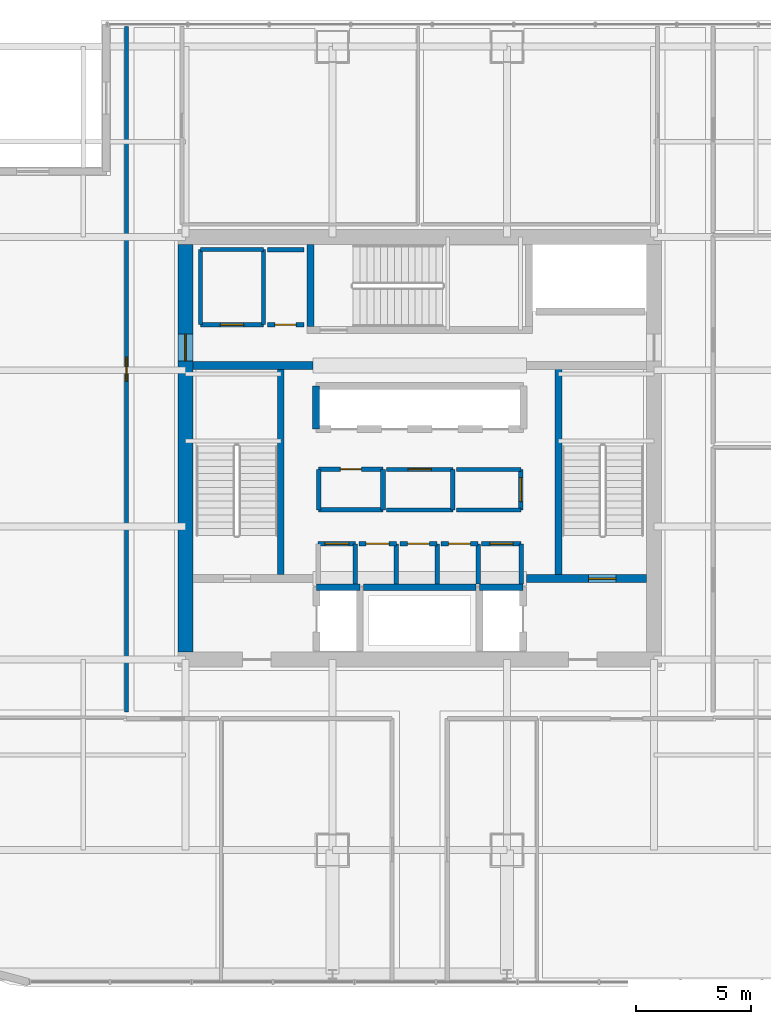
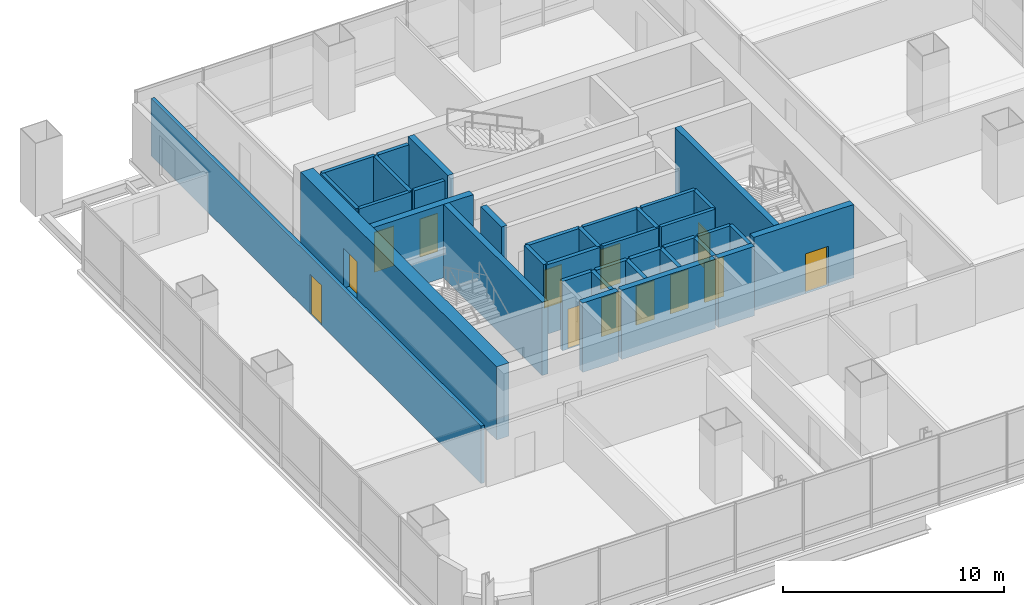
# One storey, part 30 of 36: 37 walls, 13 doors, 13 openings.
"""IFC4 building model written with IfcOpenShell, lengths in metres."""

from ifc_helpers import new_model, si_unit, direction, frame, frame_2d, origin, place, context, subcontext, project, spatial, rectangle, extrude, material, layer, layer_set, type_object, element, fill, save


model = new_model("IFC4")

# Units and contexts
model_context = context("Model", 3, precision=1e-05, world=origin(), true_north=direction((0.0, 1.0)))
body_context = subcontext(model_context, "Body", "Model", "MODEL_VIEW")
ifc_project = project(units=[si_unit("LENGTHUNIT", "METRE"), si_unit("AREAUNIT", "SQUARE_METRE"), si_unit("VOLUMEUNIT", "CUBIC_METRE"), si_unit("PLANEANGLEUNIT", "RADIAN"), si_unit("MASSUNIT", "GRAM", prefix="KILO")], contexts=[model_context])

# Site, building, storey
site_placement = place(None, origin())
site = spatial("IfcSite", under=ifc_project, at=site_placement, CompositionType="ELEMENT")
building_placement = place(site_placement, origin())
building = spatial("IfcBuilding", under=site, at=building_placement, Name="Punatoya Terracotta Tower", CompositionType="ELEMENT")
storey_placement = place(building_placement, frame((0.0, 0.0, 228.89990234375)))
storey = spatial("IfcBuildingStorey", under=building, at=storey_placement, Name="L54", CompositionType="ELEMENT", Elevation=228.89990234375)

# Wall, opening, door
ifc_material_1 = material(Name="Concrete C60/75", Category="concrete")
ifc_layer_1 = layer(ifc_material_1, 0.64990234375)
ifc_layer_set_1 = layer_set([ifc_layer_1], Name="Concrete C60/75")
wall_type_1 = type_object("IfcWallType", Name="WL-COR-650", PredefinedType="SHEAR", material=ifc_layer_set_1)
wall_1_placement = place(storey_placement, frame((-10.199951171875, -8.875, 0.0), z_axis=(0.0, 0.0, 1.0), x_axis=(0.0, 1.0, 0.0)))
wall_1 = element("IfcWall", 1, at=wall_1_placement, inside=storey, type_object=wall_type_1, Name="L54 Core Shear Wall W", PredefinedType="SHEAR", context=body_context, shape_type="SweptSolid", body=[
    extrude(rectangle(XDim=17.75, YDim=0.64990234375, at=frame_2d((8.875, 0.0))), origin(), (0.0, 0.0, 1.0), 4.050048828125),
])
opening_1_placement = place(wall_1_placement, frame((12.6650390625, 0.0, 0.0)))
opening_1 = element("IfcOpeningElement", 2, at=opening_1_placement, cuts=wall_1, Name="Opening SD-01", PredefinedType="OPENING", context=body_context, shape_type="SweptSolid", body=[
    extrude(rectangle(XDim=1.179931640625, YDim=2.199951171875, at=frame_2d((0.58984375, 1.10009765625))), frame((0.0, 0.3349609375, 0.0), z_axis=(0.0, -1.0, 0.0), x_axis=(1.0, 0.0, 0.0)), (0.0, 0.0, 1.0), 0.669921875),
])
ifc_material_2 = material(Name="Galvanised Steel Pressurized Stair Fire Door", Category="steel")
door_type_1 = type_object("IfcDoorType", Name="DR-STR-1180", OperationType="NOTDEFINED", PredefinedType="DOOR", material=ifc_material_2)
door_1_placement = place(opening_1_placement, origin())
door_1 = element("IfcDoor", 3, at=door_1_placement, inside=storey, type_object=door_type_1, Name="L54 Central Lift Lobby West Fire Door", OperationType="SINGLE_SWING_LEFT", OverallHeight=2.199951171875, OverallWidth=1.179931640625, PredefinedType="DOOR", context=body_context, shape_type="SweptSolid", body=[
    extrude(rectangle(XDim=1.179931640625, YDim=2.199951171875, at=frame_2d((0.58984375, 1.10009765625))), frame((0.0, 0.02490234375, 0.0), z_axis=(0.0, -1.0, 0.0), x_axis=(1.0, 0.0, 0.0)), (0.0, 0.0, 1.0), 0.050048828125),
])
fill(opening_1, door_1)

# Wall
ifc_material_3 = material(Name="Gypsum Fireboard + Steel Stud", Category="steel")
ifc_layer_2 = layer(ifc_material_3, 0.179931640625)
ifc_layer_set_2 = layer_set([ifc_layer_2], Name="Gypsum Fireboard + Steel Stud")
wall_type_2 = type_object("IfcWallType", Name="WL-CORR-180", PredefinedType="PARTITIONING", material=ifc_layer_set_2)
wall_2_placement = place(storey_placement, frame((4.419921875, -5.89990234375, 0.0), z_axis=(0.0, 0.0, 1.0), x_axis=(0.0, 1.0, 0.0)))
element("IfcWall", 4, at=wall_2_placement, inside=storey, type_object=wall_type_2, Name="L54 Core Focus Booth Partition 10", PredefinedType="PARTITIONING", context=body_context, shape_type="SweptSolid", body=[
    extrude(rectangle(XDim=1.739990234375, YDim=0.179931640625, at=frame_2d((0.8701171875, 0.0))), origin(), (0.0, 0.0, 1.0), 3.830078125),
])

# Wall, opening, door
wall_3_placement = place(storey_placement, frame((4.419921875, -4.159912109375, 0.0), z_axis=(0.0, 0.0, 1.0), x_axis=(-1.0, 0.0, 0.0)))
wall_3 = element("IfcWall", 5, at=wall_3_placement, inside=storey, type_object=wall_type_2, Name="L54 Core Focus Booth Partition 11", PredefinedType="PARTITIONING", context=body_context, shape_type="SweptSolid", body=[
    extrude(rectangle(XDim=1.719970703125, YDim=0.179931640625, at=frame_2d((0.85986328125, 0.0))), origin(), (0.0, 0.0, 1.0), 3.830078125),
])
opening_2_placement = place(wall_3_placement, frame((0.35009765625, 0.0, 0.0)))
opening_2 = element("IfcOpeningElement", 6, at=opening_2_placement, cuts=wall_3, Name="Opening MD-01", PredefinedType="OPENING", context=body_context, shape_type="SweptSolid", body=[
    extrude(rectangle(XDim=1.02001953125, YDim=2.199951171875, at=frame_2d((0.510009765625, 1.10009765625))), frame((0.0, 0.099853515625, 0.0), z_axis=(0.0, -1.0, 0.0), x_axis=(1.0, 0.0, 0.0)), (0.0, 0.0, 1.0), 0.199951171875),
])
ifc_material_4 = material(Name="Aluminium + Acoustic Glass Leaf", Category="aluminium")
door_type_2 = type_object("IfcDoorType", Name="DR-MTG-1020", OperationType="NOTDEFINED", PredefinedType="DOOR", material=ifc_material_4)
door_2_placement = place(opening_2_placement, origin())
door_2 = element("IfcDoor", 7, at=door_2_placement, inside=storey, type_object=door_type_2, Name="L54 Focus Booth Door", OperationType="SINGLE_SWING_RIGHT", OverallHeight=2.199951171875, OverallWidth=1.02001953125, PredefinedType="DOOR", context=body_context, shape_type="SweptSolid", body=[
    extrude(rectangle(XDim=1.02001953125, YDim=2.199951171875, at=frame_2d((0.510009765625, 1.10009765625))), frame((0.0, 0.02490234375, 0.0), z_axis=(0.0, -1.0, 0.0), x_axis=(1.0, 0.0, 0.0)), (0.0, 0.0, 1.0), 0.050048828125),
])
fill(opening_2, door_2)

# Wall
wall_4_placement = place(storey_placement, frame((1.43994140625, -2.679931640625, 0.0), z_axis=(0.0, 0.0, 1.0), x_axis=(0.0, 1.0, 0.0)))
element("IfcWall", 8, at=wall_4_placement, inside=storey, type_object=wall_type_2, Name="L54 Center Core Briefing Pod Partition 16", PredefinedType="PARTITIONING", context=body_context, shape_type="SweptSolid", body=[
    extrude(rectangle(XDim=1.760009765625, YDim=0.179931640625, at=frame_2d((0.8798828125, 0.0))), origin(), (0.0, 0.0, 1.0), 3.830078125),
])

# Wall, opening, door
wall_5_placement = place(storey_placement, frame((1.43994140625, -0.919921875, 0.0), z_axis=(0.0, 0.0, 1.0), x_axis=(-1.0, 0.0, 0.0)))
wall_5 = element("IfcWall", 9, at=wall_5_placement, inside=storey, type_object=wall_type_2, Name="L54 Center Core Briefing Pod Partition 17", PredefinedType="PARTITIONING", context=body_context, shape_type="SweptSolid", body=[
    extrude(rectangle(XDim=2.8798828125, YDim=0.179931640625, at=frame_2d((1.43994140625, 0.0))), origin(), (0.0, 0.0, 1.0), 3.830078125),
])
opening_3_placement = place(wall_5_placement, frame((0.929931640625, 0.0, 0.0)))
opening_3 = element("IfcOpeningElement", 10, at=opening_3_placement, cuts=wall_5, Name="Opening MD-01", PredefinedType="OPENING", context=body_context, shape_type="SweptSolid", body=[
    extrude(rectangle(XDim=1.02001953125, YDim=2.199951171875, at=frame_2d((0.510009765625, 1.10009765625))), frame((0.0, 0.099853515625, 0.0), z_axis=(0.0, -1.0, 0.0), x_axis=(1.0, 0.0, 0.0)), (0.0, 0.0, 1.0), 0.199951171875),
])
door_3_placement = place(opening_3_placement, origin())
door_3 = element("IfcDoor", 11, at=door_3_placement, inside=storey, type_object=door_type_2, Name="L54 Center Briefing Pod Door", OperationType="SINGLE_SWING_RIGHT", OverallHeight=2.199951171875, OverallWidth=1.02001953125, PredefinedType="DOOR", context=body_context, shape_type="SweptSolid", body=[
    extrude(rectangle(XDim=1.02001953125, YDim=2.199951171875, at=frame_2d((0.510009765625, 1.10009765625))), frame((0.0, 0.02490234375, 0.0), z_axis=(0.0, -1.0, 0.0), x_axis=(1.0, 0.0, 0.0)), (0.0, 0.0, 1.0), 0.050048828125),
])
fill(opening_3, door_3)

# Wall
wall_6_placement = place(storey_placement, frame((-1.43994140625, -2.679931640625, 0.0), z_axis=(0.0, 0.0, 1.0), x_axis=(1.0, 0.0, 0.0)))
element("IfcWall", 12, at=wall_6_placement, inside=storey, type_object=wall_type_2, Name="L54 Center Core Briefing Pod Partition 18", PredefinedType="PARTITIONING", context=body_context, shape_type="SweptSolid", body=[
    extrude(rectangle(XDim=2.8798828125, YDim=0.179931640625, at=frame_2d((1.43994140625, 0.0))), origin(), (0.0, 0.0, 1.0), 3.830078125),
])

# Wall, opening, door
wall_7_placement = place(storey_placement, frame((4.39990234375, -2.679931640625, 0.0), z_axis=(0.0, 0.0, 1.0), x_axis=(0.0, 1.0, 0.0)))
wall_7 = element("IfcWall", 13, at=wall_7_placement, inside=storey, type_object=wall_type_2, Name="L54 Right Core Copy Room Partition 19", PredefinedType="PARTITIONING", context=body_context, shape_type="SweptSolid", body=[
    extrude(rectangle(XDim=1.760009765625, YDim=0.179931640625, at=frame_2d((0.8798828125, 0.0))), origin(), (0.0, 0.0, 1.0), 3.830078125),
])
opening_4_placement = place(wall_7_placement, frame((0.35498046875, 0.0, 0.0)))
opening_4 = element("IfcOpeningElement", 14, at=opening_4_placement, cuts=wall_7, Name="Opening OD-01", PredefinedType="OPENING", context=body_context, shape_type="SweptSolid", body=[
    extrude(rectangle(XDim=1.050048828125, YDim=2.199951171875, at=frame_2d((0.52490234375, 1.10009765625))), frame((0.0, 0.099853515625, 0.0), z_axis=(0.0, -1.0, 0.0), x_axis=(1.0, 0.0, 0.0)), (0.0, 0.0, 1.0), 0.199951171875),
])
ifc_material_5 = material(Name="Bengal Teak Solid-Core Leaf")
door_type_3 = type_object("IfcDoorType", Name="DR-OFF-1050", OperationType="NOTDEFINED", PredefinedType="DOOR", material=ifc_material_5)
door_4_placement = place(opening_4_placement, origin())
door_4 = element("IfcDoor", 15, at=door_4_placement, inside=storey, type_object=door_type_3, Name="L54 Right Copy Room Door", OperationType="SINGLE_SWING_LEFT", OverallHeight=2.199951171875, OverallWidth=1.050048828125, PredefinedType="DOOR", context=body_context, shape_type="SweptSolid", body=[
    extrude(rectangle(XDim=1.050048828125, YDim=2.199951171875, at=frame_2d((0.52490234375, 1.10009765625))), frame((0.0, 0.02490234375, 0.0), z_axis=(0.0, -1.0, 0.0), x_axis=(1.0, 0.0, 0.0)), (0.0, 0.0, 1.0), 0.050048828125),
])
fill(opening_4, door_4)

# Walls
for number, where, z_axis, x_axis, name in (
    (16, (4.39990234375, -0.919921875, 0.0), (0.0, 0.0, 1.0), (-1.0, 0.0, 0.0), "L54 Right Core Copy Room Partition 20"),
    (17, (1.60009765625, -2.679931640625, 0.0), (0.0, 0.0, 1.0), (1.0, 0.0, 0.0), "L54 Right Core Copy Room Partition 21"),
):
    element("IfcWall", number, at=place(storey_placement, frame(where, z_axis=z_axis, x_axis=x_axis)), inside=storey, type_object=wall_type_2, Name=name, PredefinedType="PARTITIONING", context=body_context, shape_type="SweptSolid", body=[
        extrude(rectangle(XDim=2.7998046875, YDim=0.179931640625, at=frame_2d((1.39990234375, 0.0))), origin(), (0.0, 0.0, 1.0), 3.830078125),
    ])
wall_8_placement = place(storey_placement, frame((-6.800048828125, 5.3798828125, 0.0), z_axis=(0.0, 0.0, 1.0), x_axis=(0.0, 1.0, 0.0)))
element("IfcWall", 18, at=wall_8_placement, inside=storey, type_object=wall_type_2, Name="L54 West Core Briefing Pod Partition 22", PredefinedType="PARTITIONING", context=body_context, shape_type="SweptSolid", body=[
    extrude(rectangle(XDim=3.27001953125, YDim=0.179931640625, at=frame_2d((1.635009765625, 0.0))), origin(), (0.0, 0.0, 1.0), 3.830078125),
])
wall_9_placement = place(storey_placement, frame((-6.800048828125, 8.64990234375, 0.0), z_axis=(0.0, 0.0, 1.0), x_axis=(-1.0, 0.0, 0.0)))
element("IfcWall", 19, at=wall_9_placement, inside=storey, type_object=wall_type_2, Name="L54 West Core Briefing Pod Partition 23", PredefinedType="PARTITIONING", context=body_context, shape_type="SweptSolid", body=[
    extrude(rectangle(XDim=2.75, YDim=0.179931640625, at=frame_2d((1.375, 0.0))), origin(), (0.0, 0.0, 1.0), 3.830078125),
])
wall_10_placement = place(storey_placement, frame((-9.550048828125, 8.64990234375, 0.0), z_axis=(0.0, 0.0, 1.0), x_axis=(0.0, -1.0, 0.0)))
element("IfcWall", 20, at=wall_10_placement, inside=storey, type_object=wall_type_2, Name="L54 West Core Briefing Pod Partition 24", PredefinedType="PARTITIONING", context=body_context, shape_type="SweptSolid", body=[
    extrude(rectangle(XDim=3.27001953125, YDim=0.179931640625, at=frame_2d((1.635009765625, 0.0))), origin(), (0.0, 0.0, 1.0), 3.830078125),
])

# Wall, opening, door
wall_11_placement = place(storey_placement, frame((-9.550048828125, 5.3798828125, 0.0), z_axis=(0.0, 0.0, 1.0), x_axis=(1.0, 0.0, 0.0)))
wall_11 = element("IfcWall", 21, at=wall_11_placement, inside=storey, type_object=wall_type_2, Name="L54 West Core Briefing Pod Partition 25", PredefinedType="PARTITIONING", context=body_context, shape_type="SweptSolid", body=[
    extrude(rectangle(XDim=2.75, YDim=0.179931640625, at=frame_2d((1.375, 0.0))), origin(), (0.0, 0.0, 1.0), 3.830078125),
])
opening_5_placement = place(wall_11_placement, frame((0.864990234375, 0.0, 0.0)))
opening_5 = element("IfcOpeningElement", 22, at=opening_5_placement, cuts=wall_11, Name="Opening MD-01", PredefinedType="OPENING", context=body_context, shape_type="SweptSolid", body=[
    extrude(rectangle(XDim=1.02001953125, YDim=2.199951171875, at=frame_2d((0.510009765625, 1.10009765625))), frame((0.0, 0.099853515625, 0.0), z_axis=(0.0, -1.0, 0.0), x_axis=(1.0, 0.0, 0.0)), (0.0, 0.0, 1.0), 0.199951171875),
])
door_5_placement = place(opening_5_placement, origin())
door_5 = element("IfcDoor", 23, at=door_5_placement, inside=storey, type_object=door_type_2, Name="L54 West Briefing Pod Door", OperationType="SINGLE_SWING_RIGHT", OverallHeight=2.199951171875, OverallWidth=1.02001953125, PredefinedType="DOOR", context=body_context, shape_type="SweptSolid", body=[
    extrude(rectangle(XDim=1.02001953125, YDim=2.199951171875, at=frame_2d((0.510009765625, 1.10009765625))), frame((0.0, 0.02490234375, 0.0), z_axis=(0.0, -1.0, 0.0), x_axis=(1.0, 0.0, 0.0)), (0.0, 0.0, 1.0), 0.050048828125),
])
fill(opening_5, door_5)

wall_12_placement = place(storey_placement, frame((-12.77001953125, 18.3701171875, 0.0), z_axis=(0.0, 0.0, 1.0), x_axis=(0.0, -1.0, 0.0)))
wall_12 = element("IfcWall", 24, at=wall_12_placement, inside=storey, type_object=wall_type_2, Name="L54 Staff Tea Pantry Partition 40", PredefinedType="PARTITIONING", context=body_context, shape_type="SweptSolid", body=[
    extrude(rectangle(XDim=29.860107421875, YDim=0.179931640625, at=frame_2d((14.93017578125, 0.0))), origin(), (0.0, 0.0, 1.0), 3.174072265625),
])
opening_6_placement = place(wall_12_placement, frame((14.405029296875, 0.0, 0.0)))
opening_6 = element("IfcOpeningElement", 25, at=opening_6_placement, cuts=wall_12, Name="Opening OD-01", PredefinedType="OPENING", context=body_context, shape_type="SweptSolid", body=[
    extrude(rectangle(XDim=1.050048828125, YDim=2.199951171875, at=frame_2d((0.52490234375, 1.10009765625))), frame((0.0, 0.099853515625, 0.0), z_axis=(0.0, -1.0, 0.0), x_axis=(1.0, 0.0, 0.0)), (0.0, 0.0, 1.0), 0.199951171875),
])
door_6_placement = place(opening_6_placement, origin())
door_6 = element("IfcDoor", 26, at=door_6_placement, inside=storey, type_object=door_type_3, Name="L54 Staff Tea Pantry Door", OperationType="SINGLE_SWING_LEFT", OverallHeight=2.199951171875, OverallWidth=1.050048828125, PredefinedType="DOOR", context=body_context, shape_type="SweptSolid", body=[
    extrude(rectangle(XDim=1.050048828125, YDim=2.199951171875, at=frame_2d((0.52490234375, 1.10009765625))), frame((0.0, 0.02490234375, 0.0), z_axis=(0.0, -1.0, 0.0), x_axis=(1.0, 0.0, 0.0)), (0.0, 0.0, 1.0), 0.050048828125),
])
fill(opening_6, door_6)

# Wall
ifc_material_6 = material(Name="Concrete C40/50", Category="concrete")
ifc_layer_3 = layer(ifc_material_6, 0.199951171875)
ifc_layer_set_3 = layer_set([ifc_layer_3], Name="Concrete C40/50")
wall_type_3 = type_object("IfcWallType", Name="WL-INT-200", PredefinedType="SOLIDWALL", material=ifc_layer_set_3)
wall_13_placement = place(storey_placement, frame((-2.800048828125, -5.89990234375, 0.0), z_axis=(0.0, 0.0, 1.0), x_axis=(0.0, 1.0, 0.0)))
element("IfcWall", 27, at=wall_13_placement, inside=storey, type_object=wall_type_3, Name="L54 Core Tea Pantry Partition 01", PredefinedType="SOLIDWALL", context=body_context, shape_type="SweptSolid", body=[
    extrude(rectangle(XDim=1.739990234375, YDim=0.199951171875, at=frame_2d((0.8701171875, 0.0))), origin(), (0.0, 0.0, 1.0), 3.830078125),
])

# Wall, opening, door
wall_14_placement = place(storey_placement, frame((-2.800048828125, -4.159912109375, 0.0), z_axis=(0.0, 0.0, 1.0), x_axis=(-1.0, 0.0, 0.0)))
wall_14 = element("IfcWall", 28, at=wall_14_placement, inside=storey, type_object=wall_type_3, Name="L54 Core Tea Pantry Partition 02", PredefinedType="SOLIDWALL", context=body_context, shape_type="SweptSolid", body=[
    extrude(rectangle(XDim=1.619873046875, YDim=0.199951171875, at=frame_2d((0.81005859375, 0.0))), origin(), (0.0, 0.0, 1.0), 3.830078125),
])
opening_7_placement = place(wall_14_placement, frame((0.284912109375, 0.0, 0.0)))
opening_7 = element("IfcOpeningElement", 29, at=opening_7_placement, cuts=wall_14, Name="Opening OD-01", PredefinedType="OPENING", context=body_context, shape_type="SweptSolid", body=[
    extrude(rectangle(XDim=1.050048828125, YDim=2.199951171875, at=frame_2d((0.52490234375, 1.10009765625))), frame((0.0, 0.10986328125, 0.0), z_axis=(0.0, -1.0, 0.0), x_axis=(1.0, 0.0, 0.0)), (0.0, 0.0, 1.0), 0.219970703125),
])
door_7_placement = place(opening_7_placement, origin())
door_7 = element("IfcDoor", 30, at=door_7_placement, inside=storey, type_object=door_type_3, Name="L54 Tea Pantry Door", OperationType="SINGLE_SWING_RIGHT", OverallHeight=2.199951171875, OverallWidth=1.050048828125, PredefinedType="DOOR", context=body_context, shape_type="SweptSolid", body=[
    extrude(rectangle(XDim=1.050048828125, YDim=2.199951171875, at=frame_2d((0.52490234375, 1.10009765625))), frame((0.0, 0.02490234375, 0.0), z_axis=(0.0, -1.0, 0.0), x_axis=(1.0, 0.0, 0.0)), (0.0, 0.0, 1.0), 0.050048828125),
])
fill(opening_7, door_7)

# Wall
wall_15_placement = place(storey_placement, frame((-1.02001953125, -5.89990234375, 0.0), z_axis=(0.0, 0.0, 1.0), x_axis=(0.0, 1.0, 0.0)))
element("IfcWall", 31, at=wall_15_placement, inside=storey, type_object=wall_type_3, Name="L54 Accessible Washroom Partition 04", PredefinedType="SOLIDWALL", context=body_context, shape_type="SweptSolid", body=[
    extrude(rectangle(XDim=1.739990234375, YDim=0.199951171875, at=frame_2d((0.8701171875, 0.0))), origin(), (0.0, 0.0, 1.0), 3.830078125),
])

# Wall, opening, door
wall_16_placement = place(storey_placement, frame((-1.02001953125, -4.159912109375, 0.0), z_axis=(0.0, 0.0, 1.0), x_axis=(-1.0, 0.0, 0.0)))
wall_16 = element("IfcWall", 32, at=wall_16_placement, inside=storey, type_object=wall_type_3, Name="L54 Accessible Washroom Partition 05", PredefinedType="SOLIDWALL", context=body_context, shape_type="SweptSolid", body=[
    extrude(rectangle(XDim=1.619873046875, YDim=0.199951171875, at=frame_2d((0.81005859375, 0.0))), origin(), (0.0, 0.0, 1.0), 3.830078125),
])
opening_8_placement = place(wall_16_placement, frame((0.31005859375, 0.0, 0.0)))
opening_8 = element("IfcOpeningElement", 33, at=opening_8_placement, cuts=wall_16, Name="Opening AWD-1", PredefinedType="OPENING", context=body_context, shape_type="SweptSolid", body=[
    extrude(rectangle(XDim=1.0, YDim=2.14990234375, at=frame_2d((0.5, 1.074951171875))), frame((0.0, 0.10986328125, 0.0), z_axis=(0.0, -1.0, 0.0), x_axis=(1.0, 0.0, 0.0)), (0.0, 0.0, 1.0), 0.219970703125),
])
ifc_material_7 = material(Name="Bengal Teak Accessible WC Leaf")
door_type_4 = type_object("IfcDoorType", Name="DR-ACC-1000", OperationType="NOTDEFINED", PredefinedType="DOOR", material=ifc_material_7)
door_8_placement = place(opening_8_placement, origin())
door_8 = element("IfcDoor", 34, at=door_8_placement, inside=storey, type_object=door_type_4, Name="L54 Accessible Washroom Door", OperationType="SINGLE_SWING_LEFT", OverallHeight=2.14990234375, OverallWidth=1.0, PredefinedType="DOOR", context=body_context, shape_type="SweptSolid", body=[
    extrude(rectangle(XDim=1.0, YDim=2.14990234375, at=frame_2d((0.5, 1.074951171875))), frame((0.0, 0.02490234375, 0.0), z_axis=(0.0, -1.0, 0.0), x_axis=(1.0, 0.0, 0.0)), (0.0, 0.0, 1.0), 0.050048828125),
])
fill(opening_8, door_8)

# Wall
wall_17_placement = place(storey_placement, frame((0.760009765625, -5.89990234375, 0.0), z_axis=(0.0, 0.0, 1.0), x_axis=(0.0, 1.0, 0.0)))
element("IfcWall", 35, at=wall_17_placement, inside=storey, type_object=wall_type_3, Name="L54 Female Washroom Partition 06", PredefinedType="SOLIDWALL", context=body_context, shape_type="SweptSolid", body=[
    extrude(rectangle(XDim=1.739990234375, YDim=0.199951171875, at=frame_2d((0.8701171875, 0.0))), origin(), (0.0, 0.0, 1.0), 3.830078125),
])

# Wall, opening, door
wall_18_placement = place(storey_placement, frame((0.760009765625, -4.159912109375, 0.0), z_axis=(0.0, 0.0, 1.0), x_axis=(-1.0, 0.0, 0.0)))
wall_18 = element("IfcWall", 36, at=wall_18_placement, inside=storey, type_object=wall_type_3, Name="L54 Female Washroom Partition 07", PredefinedType="SOLIDWALL", context=body_context, shape_type="SweptSolid", body=[
    extrude(rectangle(XDim=1.6201171875, YDim=0.199951171875, at=frame_2d((0.81005859375, 0.0))), origin(), (0.0, 0.0, 1.0), 3.830078125),
])
opening_9_placement = place(wall_18_placement, frame((0.3349609375, 0.0, 0.0)))
opening_9 = element("IfcOpeningElement", 37, at=opening_9_placement, cuts=wall_18, Name="Opening WD-01", PredefinedType="OPENING", context=body_context, shape_type="SweptSolid", body=[
    extrude(rectangle(XDim=0.949951171875, YDim=2.14990234375, at=frame_2d((0.47509765625, 1.074951171875))), frame((0.0, 0.10986328125, 0.0), z_axis=(0.0, -1.0, 0.0), x_axis=(1.0, 0.0, 0.0)), (0.0, 0.0, 1.0), 0.219970703125),
])
ifc_material_8 = material(Name="Moisture-Resistant Laminate Timber Leaf", Category="wood")
door_type_5 = type_object("IfcDoorType", Name="DR-WC-950", OperationType="NOTDEFINED", PredefinedType="DOOR", material=ifc_material_8)
door_9_placement = place(opening_9_placement, origin())
door_9 = element("IfcDoor", 38, at=door_9_placement, inside=storey, type_object=door_type_5, Name="L54 Female Washroom Door", OperationType="SINGLE_SWING_RIGHT", OverallHeight=2.14990234375, OverallWidth=0.949951171875, PredefinedType="DOOR", context=body_context, shape_type="SweptSolid", body=[
    extrude(rectangle(XDim=0.949951171875, YDim=2.14990234375, at=frame_2d((0.47509765625, 1.074951171875))), frame((0.0, 0.02490234375, 0.0), z_axis=(0.0, -1.0, 0.0), x_axis=(1.0, 0.0, 0.0)), (0.0, 0.0, 1.0), 0.050048828125),
])
fill(opening_9, door_9)

# Wall
wall_19_placement = place(storey_placement, frame((2.5400390625, -5.89990234375, 0.0), z_axis=(0.0, 0.0, 1.0), x_axis=(0.0, 1.0, 0.0)))
element("IfcWall", 39, at=wall_19_placement, inside=storey, type_object=wall_type_3, Name="L54 Male Washroom Partition 08", PredefinedType="SOLIDWALL", context=body_context, shape_type="SweptSolid", body=[
    extrude(rectangle(XDim=1.739990234375, YDim=0.199951171875, at=frame_2d((0.8701171875, 0.0))), origin(), (0.0, 0.0, 1.0), 3.830078125),
])

# Wall, opening, door
wall_20_placement = place(storey_placement, frame((2.5400390625, -4.159912109375, 0.0), z_axis=(0.0, 0.0, 1.0), x_axis=(-1.0, 0.0, 0.0)))
wall_20 = element("IfcWall", 40, at=wall_20_placement, inside=storey, type_object=wall_type_3, Name="L54 Male Washroom Partition 09", PredefinedType="SOLIDWALL", context=body_context, shape_type="SweptSolid", body=[
    extrude(rectangle(XDim=1.6201171875, YDim=0.199951171875, at=frame_2d((0.81005859375, 0.0))), origin(), (0.0, 0.0, 1.0), 3.830078125),
])
opening_10_placement = place(wall_20_placement, frame((0.3349609375, 0.0, 0.0)))
opening_10 = element("IfcOpeningElement", 41, at=opening_10_placement, cuts=wall_20, Name="Opening WD-01", PredefinedType="OPENING", context=body_context, shape_type="SweptSolid", body=[
    extrude(rectangle(XDim=0.949951171875, YDim=2.14990234375, at=frame_2d((0.47509765625, 1.074951171875))), frame((0.0, 0.10986328125, 0.0), z_axis=(0.0, -1.0, 0.0), x_axis=(1.0, 0.0, 0.0)), (0.0, 0.0, 1.0), 0.219970703125),
])
door_10_placement = place(opening_10_placement, origin())
door_10 = element("IfcDoor", 42, at=door_10_placement, inside=storey, type_object=door_type_5, Name="L54 Male Washroom Door", OperationType="SINGLE_SWING_LEFT", OverallHeight=2.14990234375, OverallWidth=0.949951171875, PredefinedType="DOOR", context=body_context, shape_type="SweptSolid", body=[
    extrude(rectangle(XDim=0.949951171875, YDim=2.14990234375, at=frame_2d((0.47509765625, 1.074951171875))), frame((0.0, 0.02490234375, 0.0), z_axis=(0.0, -1.0, 0.0), x_axis=(1.0, 0.0, 0.0)), (0.0, 0.0, 1.0), 0.050048828125),
])
fill(opening_10, door_10)

# Wall
wall_21_placement = place(storey_placement, frame((-1.60009765625, -2.679931640625, 0.0), z_axis=(0.0, 0.0, 1.0), x_axis=(0.0, 1.0, 0.0)))
element("IfcWall", 43, at=wall_21_placement, inside=storey, type_object=wall_type_3, Name="L54 Left Core Store Partition 12", PredefinedType="SOLIDWALL", context=body_context, shape_type="SweptSolid", body=[
    extrude(rectangle(XDim=1.760009765625, YDim=0.199951171875, at=frame_2d((0.8798828125, 0.0))), origin(), (0.0, 0.0, 1.0), 3.830078125),
])

# Wall, opening, door
wall_22_placement = place(storey_placement, frame((-1.60009765625, -0.919921875, 0.0), z_axis=(0.0, 0.0, 1.0), x_axis=(-1.0, 0.0, 0.0)))
wall_22 = element("IfcWall", 44, at=wall_22_placement, inside=storey, type_object=wall_type_3, Name="L54 Left Core Store Partition 13", PredefinedType="SOLIDWALL", context=body_context, shape_type="SweptSolid", body=[
    extrude(rectangle(XDim=2.7998046875, YDim=0.199951171875, at=frame_2d((1.39990234375, 0.0))), origin(), (0.0, 0.0, 1.0), 3.830078125),
])
opening_11_placement = place(wall_22_placement, frame((0.93994140625, 0.0, 0.0)))
opening_11 = element("IfcOpeningElement", 45, at=opening_11_placement, cuts=wall_22, Name="Opening FD-R1", PredefinedType="OPENING", context=body_context, shape_type="SweptSolid", body=[
    extrude(rectangle(XDim=0.919921875, YDim=2.10009765625, at=frame_2d((0.4599609375, 1.050048828125))), frame((0.0, 0.10986328125, 0.0), z_axis=(0.0, -1.0, 0.0), x_axis=(1.0, 0.0, 0.0)), (0.0, 0.0, 1.0), 0.219970703125),
])
ifc_material_9 = material(Name="Galvanised Steel Riser Fire Access Door", Category="steel")
door_type_6 = type_object("IfcDoorType", Name="DR-RSR-920", OperationType="NOTDEFINED", PredefinedType="DOOR", material=ifc_material_9)
door_11_placement = place(opening_11_placement, origin())
door_11 = element("IfcDoor", 46, at=door_11_placement, inside=storey, type_object=door_type_6, Name="L54 Left Core Store Fire Door", OperationType="SINGLE_SWING_LEFT", OverallHeight=2.10009765625, OverallWidth=0.919921875, PredefinedType="DOOR", context=body_context, shape_type="SweptSolid", body=[
    extrude(rectangle(XDim=0.919921875, YDim=2.10009765625, at=frame_2d((0.4599609375, 1.050048828125))), frame((0.0, 0.02490234375, 0.0), z_axis=(0.0, -1.0, 0.0), x_axis=(1.0, 0.0, 0.0)), (0.0, 0.0, 1.0), 0.050048828125),
])
fill(opening_11, door_11)

# Walls
wall_23_placement = place(storey_placement, frame((-4.39990234375, -0.919921875, 0.0), z_axis=(0.0, 0.0, 1.0), x_axis=(0.0, -1.0, 0.0)))
element("IfcWall", 47, at=wall_23_placement, inside=storey, type_object=wall_type_3, Name="L54 Left Core Store Partition 14", PredefinedType="SOLIDWALL", context=body_context, shape_type="SweptSolid", body=[
    extrude(rectangle(XDim=1.760009765625, YDim=0.199951171875, at=frame_2d((0.8798828125, 0.0))), origin(), (0.0, 0.0, 1.0), 3.830078125),
])
wall_24_placement = place(storey_placement, frame((-4.39990234375, -2.679931640625, 0.0), z_axis=(0.0, 0.0, 1.0), x_axis=(1.0, 0.0, 0.0)))
element("IfcWall", 48, at=wall_24_placement, inside=storey, type_object=wall_type_3, Name="L54 Left Core Store Partition 15", PredefinedType="SOLIDWALL", context=body_context, shape_type="SweptSolid", body=[
    extrude(rectangle(XDim=2.7998046875, YDim=0.199951171875, at=frame_2d((1.39990234375, 0.0))), origin(), (0.0, 0.0, 1.0), 3.830078125),
])
wall_25_placement = place(storey_placement, frame((-5.050048828125, 8.64990234375, 0.0), z_axis=(0.0, 0.0, 1.0), x_axis=(-1.0, 0.0, 0.0)))
element("IfcWall", 49, at=wall_25_placement, inside=storey, type_object=wall_type_3, Name="L54 West Core Supply Store Partition 26", PredefinedType="SOLIDWALL", context=body_context, shape_type="SweptSolid", body=[
    extrude(rectangle(XDim=1.58984375, YDim=0.199951171875, at=frame_2d((0.794921875, 0.0))), origin(), (0.0, 0.0, 1.0), 3.830078125),
])

# Wall, opening, door
wall_26_placement = place(storey_placement, frame((-6.639892578125, 5.3798828125, 0.0), z_axis=(0.0, 0.0, 1.0), x_axis=(1.0, 0.0, 0.0)))
wall_26 = element("IfcWall", 50, at=wall_26_placement, inside=storey, type_object=wall_type_3, Name="L54 West Core Supply Store Partition 27", PredefinedType="SOLIDWALL", context=body_context, shape_type="SweptSolid", body=[
    extrude(rectangle(XDim=1.58984375, YDim=0.199951171875, at=frame_2d((0.794921875, 0.0))), origin(), (0.0, 0.0, 1.0), 3.830078125),
])
opening_12_placement = place(wall_26_placement, frame((0.3349609375, 0.0, 0.0)))
opening_12 = element("IfcOpeningElement", 51, at=opening_12_placement, cuts=wall_26, Name="Opening FD-R1", PredefinedType="OPENING", context=body_context, shape_type="SweptSolid", body=[
    extrude(rectangle(XDim=0.919921875, YDim=2.10009765625, at=frame_2d((0.4599609375, 1.050048828125))), frame((0.0, 0.10986328125, 0.0), z_axis=(0.0, -1.0, 0.0), x_axis=(1.0, 0.0, 0.0)), (0.0, 0.0, 1.0), 0.219970703125),
])
door_12_placement = place(opening_12_placement, origin())
door_12 = element("IfcDoor", 52, at=door_12_placement, inside=storey, type_object=door_type_6, Name="L54 West Core Supply Store Fire Door", OperationType="SINGLE_SWING_LEFT", OverallHeight=2.10009765625, OverallWidth=0.919921875, PredefinedType="DOOR", context=body_context, shape_type="SweptSolid", body=[
    extrude(rectangle(XDim=0.919921875, YDim=2.10009765625, at=frame_2d((0.4599609375, 1.050048828125))), frame((0.0, 0.02490234375, 0.0), z_axis=(0.0, -1.0, 0.0), x_axis=(1.0, 0.0, 0.0)), (0.0, 0.0, 1.0), 0.050048828125),
])
fill(opening_12, door_12)

# Walls
ifc_layer_4 = layer(ifc_material_6, 0.300048828125)
ifc_layer_set_4 = layer_set([ifc_layer_4], Name="Concrete C40/50")
wall_type_4 = type_object("IfcWallType", Name="WL-SHF-300", PredefinedType="SOLIDWALL", material=ifc_layer_set_4)
for number, where, z_axis, x_axis, name in (
    (53, (-6.050048828125, -5.5, 0.0), (0.0, 0.0, 1.0), (0.0, 1.0, 0.0), "L54 Structural Stair Shaft Wall SW-ST1-E"),
    (54, (6.050048828125, 3.449951171875, 0.0), (0.0, 0.0, 1.0), (0.0, -1.0, 0.0), "L54 Structural Stair Shaft Wall SW-ST2-W"),
):
    element("IfcWall", number, at=place(storey_placement, frame(where, z_axis=z_axis, x_axis=x_axis)), inside=storey, type_object=wall_type_4, Name=name, PredefinedType="SOLIDWALL", context=body_context, shape_type="SweptSolid", body=[
        extrude(rectangle(XDim=8.949951171875, YDim=0.300048828125, at=frame_2d((4.47509765625, 0.0))), origin(), (0.0, 0.0, 1.0), 4.050048828125),
    ])
wall_27_placement = place(storey_placement, frame((-4.75, 5.300048828125, 0.0), z_axis=(0.0, 0.0, 1.0), x_axis=(0.0, 1.0, 0.0)))
element("IfcWall", 55, at=wall_27_placement, inside=storey, type_object=wall_type_4, Name="L54 Structural Stair Shaft Wall SW-ST3-W", PredefinedType="SOLIDWALL", context=body_context, shape_type="SweptSolid", body=[
    extrude(rectangle(XDim=3.574951171875, YDim=0.300048828125, at=frame_2d((1.78759765625, 0.0))), origin(), (0.0, 0.0, 1.0), 4.050048828125),
])
for number, where, z_axis, x_axis, name in (
    (56, (-4.489990234375, -6.050048828125, 0.0), (0.0, 0.0, 1.0), (1.0, 0.0, 0.0), "L54 FFL-1 North Hoistway Wall"),
    (57, (2.610107421875, -6.050048828125, 0.0), (0.0, 0.0, 1.0), (1.0, 0.0, 0.0), "L54 FFL-2 North Hoistway Wall"),
    (58, (-4.52001953125, 0.840087890625, 0.0), (0.0, 0.0, 1.0), (0.0, 1.0, 0.0), "L54 North Lift Bank West End Wall"),
):
    element("IfcWall", number, at=place(storey_placement, frame(where, z_axis=z_axis, x_axis=x_axis)), inside=storey, type_object=wall_type_4, Name=name, PredefinedType="SOLIDWALL", context=body_context, shape_type="SweptSolid", body=[
        extrude(rectangle(XDim=1.8798828125, YDim=0.300048828125, at=frame_2d((0.93994140625, 0.0))), origin(), (0.0, 0.0, 1.0), 3.830078125),
    ])
wall_28_placement = place(storey_placement, frame((-2.449951171875, -6.050048828125, 0.0), z_axis=(0.0, 0.0, 1.0), x_axis=(1.0, 0.0, 0.0)))
element("IfcWall", 59, at=wall_28_placement, inside=storey, type_object=wall_type_4, Name="L54 Observation Shuttle Rear Hoistway Wall", PredefinedType="SOLIDWALL", context=body_context, shape_type="SweptSolid", body=[
    extrude(rectangle(XDim=4.89990234375, YDim=0.300048828125, at=frame_2d((2.449951171875, 0.0))), origin(), (0.0, 0.0, 1.0), 3.830078125),
])

# Wall, opening, door
ifc_material_10 = material(Name="Concrete C50/60", Category="concrete")
ifc_layer_5 = layer(ifc_material_10, 0.35009765625)
ifc_layer_set_5 = layer_set([ifc_layer_5], Name="Concrete C50/60")
wall_type_5 = type_object("IfcWallType", Name="WL-SHF-350", PredefinedType="SOLIDWALL", material=ifc_layer_set_5)
wall_29_placement = place(storey_placement, frame((4.64990234375, -5.679931640625, 0.0), z_axis=(0.0, 0.0, 1.0), x_axis=(1.0, 0.0, 0.0)))
wall_29 = element("IfcWall", 60, at=wall_29_placement, inside=storey, type_object=wall_type_5, Name="L54 Core Web Wall CSW-R", PredefinedType="SOLIDWALL", context=body_context, shape_type="SweptSolid", body=[
    extrude(rectangle(XDim=5.22509765625, YDim=0.35009765625, at=frame_2d((2.612548828125, 0.0))), origin(), (0.0, 0.0, 1.0), 4.050048828125),
])
opening_13_placement = place(wall_29_placement, frame((2.7099609375, 0.0, 0.0)))
opening_13 = element("IfcOpeningElement", 61, at=opening_13_placement, cuts=wall_29, Name="Opening SD-01", PredefinedType="OPENING", context=body_context, shape_type="SweptSolid", body=[
    extrude(rectangle(XDim=1.179931640625, YDim=2.199951171875, at=frame_2d((0.58984375, 1.10009765625))), frame((0.0, 0.18505859375, 0.0), z_axis=(0.0, -1.0, 0.0), x_axis=(1.0, 0.0, 0.0)), (0.0, 0.0, 1.0), 0.3701171875),
])
door_13_placement = place(opening_13_placement, origin())
door_13 = element("IfcDoor", 62, at=door_13_placement, inside=storey, type_object=door_type_1, Name="L54 Stair ST-2 Smokeproof Lobby Fire Door", OperationType="SINGLE_SWING_RIGHT", OverallHeight=2.199951171875, OverallWidth=1.179931640625, PredefinedType="DOOR", context=body_context, shape_type="SweptSolid", body=[
    extrude(rectangle(XDim=1.179931640625, YDim=2.199951171875, at=frame_2d((0.58984375, 1.10009765625))), frame((0.0, 0.02490234375, 0.0), z_axis=(0.0, -1.0, 0.0), x_axis=(1.0, 0.0, 0.0)), (0.0, 0.0, 1.0), 0.050048828125),
])
fill(opening_13, door_13)

# Wall
wall_30_placement = place(storey_placement, frame((-9.875, 3.60009765625, 0.0), z_axis=(0.0, 0.0, 1.0), x_axis=(1.0, 0.0, 0.0)))
element("IfcWall", 63, at=wall_30_placement, inside=storey, type_object=wall_type_5, Name="L54 Core Web Wall CNW-L", PredefinedType="SOLIDWALL", context=body_context, shape_type="SweptSolid", body=[
    extrude(rectangle(XDim=5.22509765625, YDim=0.35009765625, at=frame_2d((2.612548828125, 0.0))), origin(), (0.0, 0.0, 1.0), 4.050048828125),
])

save(model, "model.ifc")
